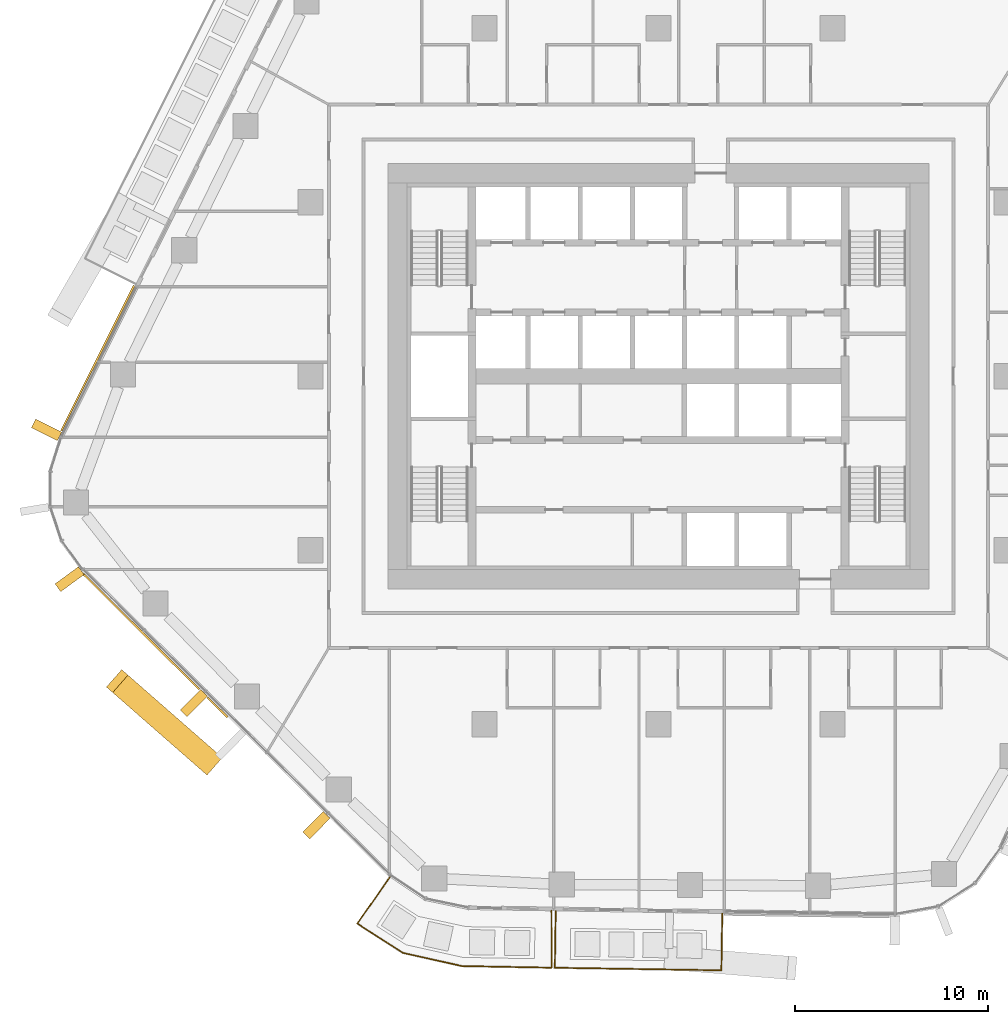
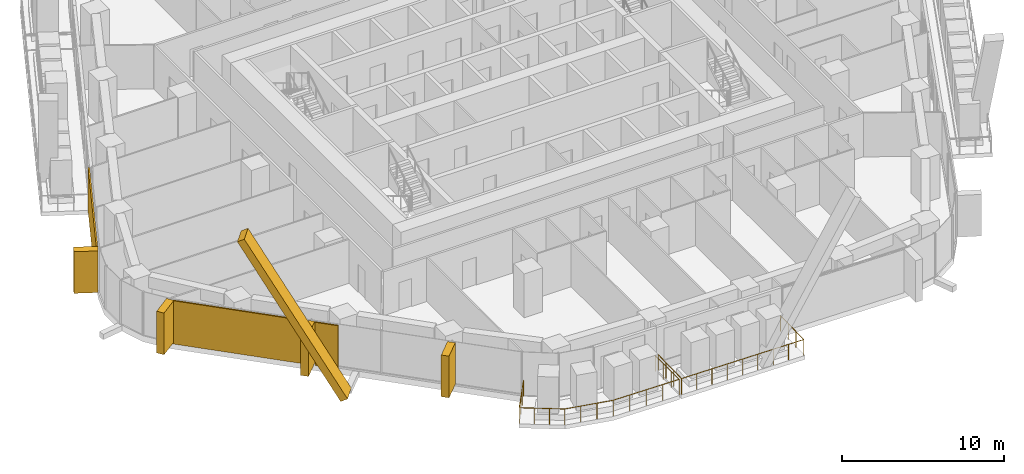
# One storey, part 19 of 25: 8 coverings, 2 railings, 3 elements without a shape of their own.
"""IFC4 building model written with IfcOpenShell, lengths in metres."""

from ifc_helpers import new_model, si_unit, direction, frame, origin, origin_2d, place, context, subcontext, project, spatial, rectangle, circle, extrude, material, layer, layer_set, material_profile, profile_set, type_object, element, aggregate, save


model = new_model("IFC4")

# Units and contexts
model_context = context("Model", 3, precision=1e-05, world=origin(), true_north=direction((0.0, 1.0)))
body_context = subcontext(model_context, "Body", "Model", "MODEL_VIEW")
ifc_project = project(units=[si_unit("LENGTHUNIT", "METRE"), si_unit("AREAUNIT", "SQUARE_METRE"), si_unit("VOLUMEUNIT", "CUBIC_METRE"), si_unit("PLANEANGLEUNIT", "RADIAN"), si_unit("MASSUNIT", "GRAM", prefix="KILO")], contexts=[model_context])

# Site, building, storey
site_placement = place(None, origin())
site = spatial("IfcSite", under=ifc_project, at=site_placement, CompositionType="ELEMENT")
building_placement = place(site_placement, origin())
building = spatial("IfcBuilding", under=site, at=building_placement, Name="Dongbaek Canopy Tower", CompositionType="ELEMENT")
storey_placement = place(building_placement, frame((0.0, 0.0, 102.60009765625)))
storey = spatial("IfcBuildingStorey", under=building, at=storey_placement, Name="L21", CompositionType="ELEMENT", Elevation=102.60009765625)

# Railings
ifc_material_1 = material(Name="Stainless steel", Category="steel")
railing_type = type_object("IfcRailingType", Name="Balcony balustrade 1200", PredefinedType="BALUSTRADE", material=ifc_material_1)
railing_1_placement = place(storey_placement, frame((-5.315185546875, -27.650390625, 0.0)))
element("IfcRailing", 1, at=railing_1_placement, inside=storey, type_object=railing_type, Name="Balcony guard L21 4", PredefinedType="BALUSTRADE", context=body_context, shape_type="SweptSolid", body=[
    extrude(circle(Radius=0.02392578125, at=origin_2d()), frame((0.0, 0.0, 1.17578125), z_axis=(-0.015445379339, -0.999880713014, 0.0), x_axis=(0.999880713014, -0.015445379339, 0.0)), (0.0, 0.0, 1.0), 2.93994140625),
    extrude(circle(Radius=0.02392578125, at=origin_2d()), frame((-0.04541015625, -2.939697265625, 1.17578125), z_axis=(0.99988115416, -0.015416794622, 0.0), x_axis=(0.015416794622, 0.99988115416, 0.0)), (0.0, 0.0, 1.0), 8.61474609375),
    extrude(circle(Radius=0.02392578125, at=origin_2d()), frame((8.568359375, -3.072509765625, 1.17578125), z_axis=(0.015362359316, 0.999881991995, 0.0), x_axis=(-0.999881991995, 0.015362359316, 0.0)), (0.0, 0.0, 1.0), 2.93994140625),
    extrude(circle(Radius=0.02099609375, at=origin_2d()), origin(), (0.0, 0.0, 1.0), 1.15185546875),
    extrude(circle(Radius=0.02099609375, at=origin_2d()), frame((-0.01513671875, -0.97998046875, 0.0)), (0.0, 0.0, 1.0), 1.15185546875),
    extrude(circle(Radius=0.02099609375, at=origin_2d()), frame((-0.0302734375, -1.959716796875, 0.0)), (0.0, 0.0, 1.0), 1.15185546875),
    extrude(circle(Radius=0.02099609375, at=origin_2d()), frame((-0.04541015625, -2.939697265625, 0.0)), (0.0, 0.0, 1.0), 1.15185546875),
    extrude(circle(Radius=0.02099609375, at=origin_2d()), frame((1.03125, -2.956298828125, 0.0)), (0.0, 0.0, 1.0), 1.15185546875),
    extrude(circle(Radius=0.02099609375, at=origin_2d()), frame((2.10791015625, -2.972900390625, 0.0)), (0.0, 0.0, 1.0), 1.15185546875),
    extrude(circle(Radius=0.02099609375, at=origin_2d()), frame((3.184814453125, -2.989501953125, 0.0)), (0.0, 0.0, 1.0), 1.15185546875),
    extrude(circle(Radius=0.02099609375, at=origin_2d()), frame((4.261474609375, -3.006103515625, 0.0)), (0.0, 0.0, 1.0), 1.15185546875),
    extrude(circle(Radius=0.02099609375, at=origin_2d()), frame((5.338134765625, -3.022705078125, 0.0)), (0.0, 0.0, 1.0), 1.15185546875),
    extrude(circle(Radius=0.02099609375, at=origin_2d()), frame((6.4150390625, -3.039306640625, 0.0)), (0.0, 0.0, 1.0), 1.15185546875),
    extrude(circle(Radius=0.02099609375, at=origin_2d()), frame((7.49169921875, -3.055908203125, 0.0)), (0.0, 0.0, 1.0), 1.15185546875),
    extrude(circle(Radius=0.02099609375, at=origin_2d()), frame((8.568359375, -3.072509765625, 0.0)), (0.0, 0.0, 1.0), 1.15185546875),
    extrude(circle(Radius=0.02099609375, at=origin_2d()), frame((8.58349609375, -2.092529296875, 0.0)), (0.0, 0.0, 1.0), 1.15185546875),
    extrude(circle(Radius=0.02099609375, at=origin_2d()), frame((8.598388671875, -1.11279296875, 0.0)), (0.0, 0.0, 1.0), 1.15185546875),
    extrude(circle(Radius=0.02099609375, at=origin_2d()), frame((8.613525390625, -0.1328125, 0.0)), (0.0, 0.0, 1.0), 1.15185546875),
])
railing_2_placement = place(storey_placement, frame((-13.888671875, -25.897216796875, 0.0)))
element("IfcRailing", 2, at=railing_2_placement, inside=storey, type_object=railing_type, Name="Balcony guard L21 8", PredefinedType="BALUSTRADE", context=body_context, shape_type="SweptSolid", body=[
    extrude(circle(Radius=0.02392578125, at=origin_2d()), frame((0.0, 0.0, 1.17578125), z_axis=(-0.573824449934, -0.818978327343, 0.0), x_axis=(0.818978327343, -0.573824449934, 0.0)), (0.0, 0.0, 1.0), 2.940673828125),
    extrude(circle(Radius=0.02392578125, at=origin_2d()), frame((-1.6875, -2.408447265625, 1.17578125), z_axis=(0.841065066743, -0.540933964088, 0.0), x_axis=(0.540933964088, 0.841065066743, 0.0)), (0.0, 0.0, 1.0), 2.79833984375),
    extrude(circle(Radius=0.02392578125, at=origin_2d()), frame((0.666015625, -3.922119140625, 1.17578125), z_axis=(0.975888792323, -0.218268332607, 0.0), x_axis=(0.218268332607, 0.975888792323, 0.0)), (0.0, 0.0, 1.0), 3.129638671875),
    extrude(circle(Radius=0.02392578125, at=origin_2d()), frame((3.72021484375, -4.605224609375, 1.17578125), z_axis=(0.99983201567, -0.01832867809, 0.0), x_axis=(0.01832867809, 0.99983201567, 0.0)), (0.0, 0.0, 1.0), 4.648681640625),
    extrude(circle(Radius=0.02392578125, at=origin_2d()), frame((8.3681640625, -4.6904296875, 1.17578125), z_axis=(-0.004981671827, 0.999987591396, 0.0), x_axis=(-0.999987591396, -0.004981671827, 0.0)), (0.0, 0.0, 1.0), 2.9404296875),
    extrude(circle(Radius=0.02099609375, at=origin_2d()), origin(), (0.0, 0.0, 1.0), 1.15185546875),
    extrude(circle(Radius=0.02099609375, at=origin_2d()), frame((-0.5625, -0.802734375, 0.0)), (0.0, 0.0, 1.0), 1.15185546875),
    extrude(circle(Radius=0.02099609375, at=origin_2d()), frame((-1.125, -1.605712890625, 0.0)), (0.0, 0.0, 1.0), 1.15185546875),
    extrude(circle(Radius=0.02099609375, at=origin_2d()), frame((-1.6875, -2.408447265625, 0.0)), (0.0, 0.0, 1.0), 1.15185546875),
    extrude(circle(Radius=0.02099609375, at=origin_2d()), frame((-0.903076171875, -2.9130859375, 0.0)), (0.0, 0.0, 1.0), 1.15185546875),
    extrude(circle(Radius=0.02099609375, at=origin_2d()), frame((-0.118408203125, -3.41748046875, 0.0)), (0.0, 0.0, 1.0), 1.15185546875),
    extrude(circle(Radius=0.02099609375, at=origin_2d()), frame((0.666015625, -3.922119140625, 0.0)), (0.0, 0.0, 1.0), 1.15185546875),
    extrude(circle(Radius=0.02099609375, at=origin_2d()), frame((1.68408203125, -4.14990234375, 0.0)), (0.0, 0.0, 1.0), 1.15185546875),
    extrude(circle(Radius=0.02099609375, at=origin_2d()), frame((2.7021484375, -4.37744140625, 0.0)), (0.0, 0.0, 1.0), 1.15185546875),
    extrude(circle(Radius=0.02099609375, at=origin_2d()), frame((3.72021484375, -4.605224609375, 0.0)), (0.0, 0.0, 1.0), 1.15185546875),
    extrude(circle(Radius=0.02099609375, at=origin_2d()), frame((4.88232421875, -4.62646484375, 0.0)), (0.0, 0.0, 1.0), 1.15185546875),
    extrude(circle(Radius=0.02099609375, at=origin_2d()), frame((6.044189453125, -4.64794921875, 0.0)), (0.0, 0.0, 1.0), 1.15185546875),
    extrude(circle(Radius=0.02099609375, at=origin_2d()), frame((7.2060546875, -4.669189453125, 0.0)), (0.0, 0.0, 1.0), 1.15185546875),
    extrude(circle(Radius=0.02099609375, at=origin_2d()), frame((8.3681640625, -4.6904296875, 0.0)), (0.0, 0.0, 1.0), 1.15185546875),
    extrude(circle(Radius=0.02099609375, at=origin_2d()), frame((8.36328125, -3.710205078125, 0.0)), (0.0, 0.0, 1.0), 1.15185546875),
    extrude(circle(Radius=0.02099609375, at=origin_2d()), frame((8.3583984375, -2.730224609375, 0.0)), (0.0, 0.0, 1.0), 1.15185546875),
    extrude(circle(Radius=0.02099609375, at=origin_2d()), frame((8.353515625, -1.75, 0.0)), (0.0, 0.0, 1.0), 1.15185546875),
])

# Curtain wall, covering
ifc_material_2 = material(Name="Aluminium 6063-T6 pale anodised", Category="aluminium")
ifc_layer_1 = layer(ifc_material_2, 0.199951171875)
ifc_layer_set_1 = layer_set([ifc_layer_1], Name="CW-1 unitised tower curtain wall")
curtain_wall_type = type_object("IfcCurtainWallType", Name="CW-1 unitised tower curtain wall", PredefinedType="NOTDEFINED", material=ifc_layer_set_1)
curtain_wall_1_placement = place(storey_placement, origin())
curtain_wall_1 = element("IfcCurtainWall", 3, at=curtain_wall_1_placement, inside=storey, type_object=curtain_wall_type, Name="CW-1 curtain wall F3.1", PredefinedType="NOTDEFINED")
ifc_material_3 = material(Name="Aluminium 6063-T6 pale metal fin", Category="aluminium")
ifc_material_profile_1 = material_profile(ifc_material_3, rectangle(XDim=1.199951171875, YDim=0.5, at=origin_2d()), Name="Crease fin CF1 500 x 1200 pale metal")
ifc_profile_set_1 = profile_set([ifc_material_profile_1], Name="Aluminium 6063-T6 pale metal fin")
covering_type_1 = type_object("IfcCoveringType", Name="Crease fin CF1 500 x 1200 pale metal", PredefinedType="CLADDING", material=ifc_profile_set_1)
covering_1_placement = place(storey_placement, frame((-23.115478515625, -20.03466796875, -0.22509765625), z_axis=(-0.37886964981, 0.331619966729, 0.863994204911), x_axis=(-0.658627235485, -0.7524693779, 0.0)))
covering_1 = element("IfcCovering", 4, at=covering_1_placement, type_object=covering_type_1, Name="Crease fin L21 L24 F3", PredefinedType="CLADDING", context=body_context, shape_type="SweptSolid", body=[
    extrude(rectangle(XDim=1.199951171875, YDim=0.5, at=origin_2d()), origin(), (0.0, 0.0, 1.0), 12.876220703125),
])

curtain_wall_2_placement = place(storey_placement, origin())
curtain_wall_2 = element("IfcCurtainWall", 5, at=curtain_wall_2_placement, inside=storey, type_object=curtain_wall_type, Name="CW-1 curtain wall F2.1", PredefinedType="NOTDEFINED")
ifc_material_4 = material(Name="Perforated aluminium 6063-T6 pale metal screen", Category="aluminium")
ifc_layer_2 = layer(ifc_material_4, 0.10009765625)
ifc_layer_set_2 = layer_set([ifc_layer_2], Name="Facet screen FS1 100 pale metal")
covering_type_2 = type_object("IfcCoveringType", Name="Facet screen FS1 100 pale metal", PredefinedType="CLADDING", material=ifc_layer_set_2)
covering_2_placement = place(storey_placement, frame((-29.002685546875, 0.931884765625, 0.0), z_axis=(0.0, 0.0, 1.0), x_axis=(-0.447955711797, -0.894055747853, 0.0)))
covering_2 = element("IfcCovering", 6, at=covering_2_placement, type_object=covering_type_2, Name="Facet screen L21 F2", PredefinedType="CLADDING", context=body_context, shape_type="SweptSolid", body=[
    extrude(rectangle(XDim=8.415283203125, YDim=0.10009765625, at=origin_2d()), origin(), (0.0, 0.0, 1.0), 3.25),
])

# Covering
covering_3_placement = place(storey_placement, frame((-26.749755859375, -13.203369140625, 0.0), z_axis=(0.0, 0.0, 1.0), x_axis=(0.709103249407, -0.70510466009, 0.0)))
covering_3 = element("IfcCovering", 7, at=covering_3_placement, type_object=covering_type_2, Name="Facet screen L21 F3", PredefinedType="CLADDING", context=body_context, shape_type="SweptSolid", body=[
    extrude(rectangle(XDim=8.49462890625, YDim=0.10009765625, at=origin_2d()), origin(), (0.0, 0.0, 1.0), 3.25),
])

covering_4_placement = place(storey_placement, frame((-22.8095703125, -17.121337890625, 0.0), z_axis=(0.0, 0.0, 1.0), x_axis=(0.709103249407, -0.70510466009, 0.0)))
covering_4 = element("IfcCovering", 8, at=covering_4_placement, type_object=covering_type_2, Name="Facet screen L21 F3", PredefinedType="CLADDING", context=body_context, shape_type="SweptSolid", body=[
    extrude(rectangle(XDim=1.45849609375, YDim=0.10009765625, at=origin_2d()), origin(), (0.0, 0.0, 1.0), 3.25),
])

ifc_material_5 = material(Name="Aluminium 6063-T6 pale metal fin", Category="aluminium")
ifc_material_profile_2 = material_profile(ifc_material_5, rectangle(XDim=1.5, YDim=0.5, at=origin_2d()), Name="Fin FN1 500 x 1500 pale metal")
ifc_profile_set_2 = profile_set([ifc_material_profile_2], Name="Aluminium 6063-T6 pale metal fin")
covering_type_3 = type_object("IfcCoveringType", Name="Fin FN1 500 x 1500 pale metal", PredefinedType="CLADDING", material=ifc_profile_set_2)
covering_5_placement = place(storey_placement, frame((-31.64697265625, -2.774169921875, 0.119873046875), z_axis=(0.0, 0.0, 1.0), x_axis=(-0.894055791151, 0.447955625381, 0.0)))
covering_5 = element("IfcCovering", 9, at=covering_5_placement, type_object=covering_type_3, Name="Fin F2.1.3", PredefinedType="CLADDING", context=body_context, shape_type="SweptSolid", body=[
    extrude(rectangle(XDim=1.5, YDim=0.5, at=origin_2d()), origin(), (0.0, 0.0, 1.0), 3.130126953125),
])

aggregate(curtain_wall_2, [covering_5, covering_2])

# Curtain wall, covering
curtain_wall_3_placement = place(storey_placement, origin())
curtain_wall_3 = element("IfcCurtainWall", 10, at=curtain_wall_3_placement, inside=storey, type_object=curtain_wall_type, Name="CW-1 curtain wall K3.1", PredefinedType="NOTDEFINED")
covering_6_placement = place(storey_placement, frame((-30.456298828125, -10.495849609375, 0.119873046875), z_axis=(0.0, 0.0, 1.0), x_axis=(-0.80706183949, -0.59046692307, 0.0)))
covering_6 = element("IfcCovering", 11, at=covering_6_placement, type_object=covering_type_3, Name="Fin K3.1.5", PredefinedType="CLADDING", context=body_context, shape_type="SweptSolid", body=[
    extrude(rectangle(XDim=1.5, YDim=0.5, at=origin_2d()), origin(), (0.0, 0.0, 1.0), 3.130126953125),
])
aggregate(curtain_wall_3, [covering_6])

# Covering
covering_7_placement = place(storey_placement, frame((-24.028564453125, -16.90185546875, 0.119873046875), z_axis=(0.0, 0.0, 1.0), x_axis=(-0.705105030819, -0.709102880768, 0.0)))
covering_7 = element("IfcCovering", 12, at=covering_7_placement, type_object=covering_type_3, Name="Fin F3.1.3", PredefinedType="CLADDING", context=body_context, shape_type="SweptSolid", body=[
    extrude(rectangle(XDim=1.5, YDim=0.5, at=origin_2d()), origin(), (0.0, 0.0, 1.0), 3.130126953125),
])

covering_8_placement = place(storey_placement, frame((-17.68212890625, -23.212646484375, 0.119873046875), z_axis=(0.0, 0.0, 1.0), x_axis=(-0.705105030819, -0.709102880768, 0.0)))
covering_8 = element("IfcCovering", 13, at=covering_8_placement, type_object=covering_type_3, Name="Fin F3.1.5", PredefinedType="CLADDING", context=body_context, shape_type="SweptSolid", body=[
    extrude(rectangle(XDim=1.5, YDim=0.5, at=origin_2d()), origin(), (0.0, 0.0, 1.0), 3.130126953125),
])

aggregate(curtain_wall_1, [covering_7, covering_8, covering_1, covering_3, covering_4])

save(model, "model.ifc")
